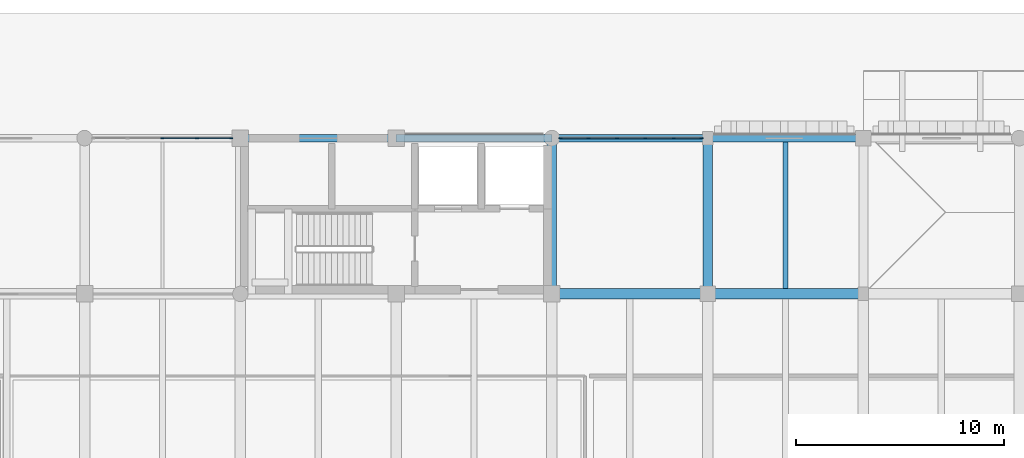
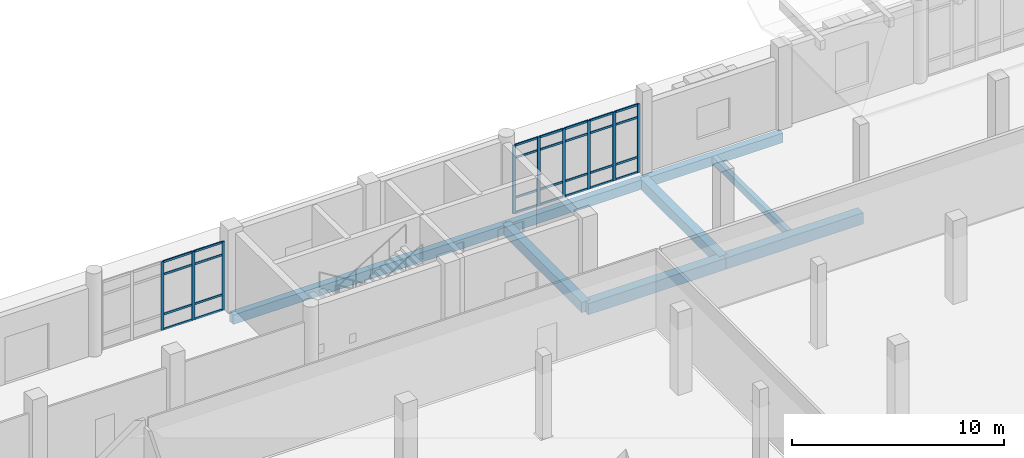
# One storey, part 53 of 125: 37 members, 9 beams, 2 elements without a shape of their own.
"""IFC4 building model written with IfcOpenShell, lengths in metres."""

from ifc_helpers import new_model, si_unit, direction, frame, origin, origin_2d, place, context, subcontext, project, spatial, rectangle, extrude, material, layer, layer_set, material_profile, profile_set, type_object, element, aggregate, save


model = new_model("IFC4")

# Units and contexts
model_context = context("Model", 3, precision=1e-05, world=origin(), true_north=direction((0.0, 1.0)))
body_context = subcontext(model_context, "Body", "Model", "MODEL_VIEW")
ifc_project = project(units=[si_unit("LENGTHUNIT", "METRE"), si_unit("AREAUNIT", "SQUARE_METRE"), si_unit("VOLUMEUNIT", "CUBIC_METRE"), si_unit("PLANEANGLEUNIT", "RADIAN"), si_unit("MASSUNIT", "GRAM", prefix="KILO")], contexts=[model_context])

# Site, building, storey
site_placement = place(None, origin())
site = spatial("IfcSite", under=ifc_project, at=site_placement, CompositionType="ELEMENT")
building_placement = place(site_placement, origin())
building = spatial("IfcBuilding", under=site, at=building_placement, Name="Dalvernix Boulevard General Hospital", CompositionType="ELEMENT")
storey_placement = place(building_placement, origin())
storey = spatial("IfcBuildingStorey", under=building, at=storey_placement, Name="L00", CompositionType="ELEMENT", Elevation=0.0)

# Beams
ifc_material_1 = material(Name="Concrete C35/45", Category="concrete")
ifc_material_profile_1 = material_profile(ifc_material_1, rectangle(XDim=0.5, YDim=0.64990234375, at=origin_2d()), Name="RCB 500x650")
ifc_profile_set_1 = profile_set([ifc_material_profile_1], Name="Concrete C35/45")
beam_type_1 = type_object("IfcBeamType", Name="BM-B-02-I", PredefinedType="BEAM", material=ifc_profile_set_1)
for number, where, z_axis, x_axis, name in (
    (1, (112.5, 109.5, -0.68505859375), (1.0, 0.0, 0.0), (0.0, 1.0, 0.0), "L00 E-W girder Q:16-17"),
    (2, (120.0, 109.5, -0.68505859375), (1.0, 0.0, 0.0), (0.0, 1.0, 0.0), "L00 E-W girder Q:17-18"),
):
    element("IfcBeam", number, at=place(storey_placement, frame(where, z_axis=z_axis, x_axis=x_axis)), inside=storey, type_object=beam_type_1, Name=name, PredefinedType="BEAM", context=body_context, shape_type="SweptSolid", body=[
        extrude(rectangle(XDim=0.5, YDim=0.64990234375, at=origin_2d()), origin(), (0.0, 0.0, 1.0), 7.5),
    ])
ifc_material_profile_2 = material_profile(ifc_material_1, rectangle(XDim=0.449951171875, YDim=0.60009765625, at=origin_2d()), Name="RCB 450x600")
ifc_profile_set_2 = profile_set([ifc_material_profile_2], Name="Concrete C35/45")
beam_type_2 = type_object("IfcBeamType", Name="BM-B-04-I", PredefinedType="BEAM", material=ifc_profile_set_2)
for number, where, z_axis, x_axis, name in (
    (3, (112.5, 109.5, -0.659912109375), (0.0, 1.0, 0.0), (-1.0, 0.0, 0.0), "L00 N-S girder 16:Q-R"),
    (4, (120.0, 109.5, -0.659912109375), (0.0, 1.0, 0.0), (-1.0, 0.0, 0.0), "L00 N-S girder 17:Q-R"),
):
    element("IfcBeam", number, at=place(storey_placement, frame(where, z_axis=z_axis, x_axis=x_axis)), inside=storey, type_object=beam_type_2, Name=name, PredefinedType="BEAM", context=body_context, shape_type="SweptSolid", body=[
        extrude(rectangle(XDim=0.449951171875, YDim=0.60009765625, at=origin_2d()), origin(), (0.0, 0.0, 1.0), 7.5),
    ])
ifc_material_profile_3 = material_profile(ifc_material_1, rectangle(XDim=0.25, YDim=0.39990234375, at=origin_2d()), Name="RCB 250x400")
ifc_profile_set_3 = profile_set([ifc_material_profile_3], Name="Concrete C35/45")
beam_type_3 = type_object("IfcBeamType", Name="BM-JB-02", PredefinedType="JOIST", material=ifc_profile_set_3)
beam_placement = place(storey_placement, frame((123.75, 109.75, -0.56005859375), z_axis=(0.0, 1.0, 0.0), x_axis=(-1.0, 0.0, 0.0)))
element("IfcBeam", 5, at=beam_placement, inside=storey, type_object=beam_type_3, Name="L00 secondary floor beam 17-Q", PredefinedType="JOIST", context=body_context, shape_type="SweptSolid", body=[
    extrude(rectangle(XDim=0.25, YDim=0.39990234375, at=origin_2d()), origin(), (0.0, 0.0, 1.0), 7.074951171875),
])
ifc_material_profile_4 = material_profile(ifc_material_1, rectangle(XDim=0.35009765625, YDim=0.550048828125, at=origin_2d()), Name="RCB 350x550")
ifc_profile_set_4 = profile_set([ifc_material_profile_4], Name="Concrete C35/45")
beam_type_4 = type_object("IfcBeamType", Name="BM-SB-01-E", PredefinedType="SPANDREL", material=ifc_profile_set_4)
for number, where, z_axis, x_axis, name in (
    (6, (97.5, 117.0, -0.635009765625), (1.0, 0.0, 0.0), (0.0, 1.0, 0.0), "L00 E-W girder R:14-15"),
    (7, (105.0, 117.0, -0.635009765625), (1.0, 0.0, 0.0), (0.0, 1.0, 0.0), "L00 E-W girder R:15-16"),
    (8, (112.5, 117.0, -0.635009765625), (1.0, 0.0, 0.0), (0.0, 1.0, 0.0), "L00 E-W girder R:16-17"),
    (9, (120.0, 117.0, -0.635009765625), (1.0, 0.0, 0.0), (0.0, 1.0, 0.0), "L00 E-W girder R:17-18"),
):
    element("IfcBeam", number, at=place(storey_placement, frame(where, z_axis=z_axis, x_axis=x_axis)), inside=storey, type_object=beam_type_4, Name=name, PredefinedType="SPANDREL", context=body_context, shape_type="SweptSolid", body=[
        extrude(rectangle(XDim=0.35009765625, YDim=0.550048828125, at=origin_2d()), origin(), (0.0, 0.0, 1.0), 7.5),
    ])

# Curtain wall, members
ifc_material_2 = material(Name="Thermally broken aluminium and solar-control glass curtain wall", Category="aluminium")
ifc_layer_1 = layer(ifc_material_2, 0.159912109375)
ifc_layer_set_1 = layer_set([ifc_layer_1], Name="Thermally broken aluminium and solar-control glass curtain wall (CW-CW-A-67x40)")
curtain_wall_type_1 = type_object("IfcCurtainWallType", Name="CW-CW-A-67x40", PredefinedType="USERDEFINED", material=ifc_layer_set_1)
curtain_wall_1_placement = place(storey_placement, origin())
curtain_wall_1 = element("IfcCurtainWall", 10, at=curtain_wall_1_placement, inside=storey, type_object=curtain_wall_type_1, Name="L00 curtain wall CW-A-67x40 12-15", ObjectType="GLAZED FACADE", PredefinedType="USERDEFINED")
ifc_material_3 = material(Name="Aluminium EN AW-6060", Category="aluminium")
ifc_material_profile_5 = material_profile(ifc_material_3, rectangle(XDim=0.06005859375, YDim=0.159912109375, at=origin_2d()), Name="ALU MULL 60x160")
ifc_profile_set_5 = profile_set([ifc_material_profile_5], Name="Aluminium EN AW-6060")
member_type_1 = type_object("IfcMemberType", Name="MEM-CW-M1", PredefinedType="MULLION", material=ifc_profile_set_5)
member_1_placement = place(storey_placement, frame((93.737548828125, 117.0, 0.0), z_axis=(0.0, 0.0, 1.0), x_axis=(0.0, 1.0, 0.0)))
member_1 = element("IfcMember", 11, at=member_1_placement, type_object=member_type_1, Name="CW-A-67x40 mullion 3", PredefinedType="MULLION", context=body_context, shape_type="SweptSolid", body=[
    extrude(rectangle(XDim=0.06005859375, YDim=0.159912109375, at=origin_2d()), origin(), (0.0, 0.0, 1.0), 3.949951171875),
])
member_2_placement = place(storey_placement, frame((95.413818359375, 117.0, 0.0), z_axis=(0.0, 0.0, 1.0), x_axis=(0.0, 1.0, 0.0)))
member_2 = element("IfcMember", 12, at=member_2_placement, type_object=member_type_1, Name="CW-A-67x40 mullion 4", PredefinedType="MULLION", context=body_context, shape_type="SweptSolid", body=[
    extrude(rectangle(XDim=0.06005859375, YDim=0.159912109375, at=origin_2d()), origin(), (0.0, 0.0, 1.0), 3.949951171875),
])
member_3_placement = place(storey_placement, frame((97.06005859375, 117.0, 0.0), z_axis=(0.0, 0.0, 1.0), x_axis=(0.0, 1.0, 0.0)))
member_3 = element("IfcMember", 13, at=member_3_placement, type_object=member_type_1, Name="CW-A-67x40 mullion 5", PredefinedType="MULLION", context=body_context, shape_type="SweptSolid", body=[
    extrude(rectangle(XDim=0.06005859375, YDim=0.159912109375, at=origin_2d()), origin(), (0.0, 0.0, 1.0), 3.949951171875),
])

ifc_layer_2 = layer(ifc_material_2, 0.159912109375)
ifc_layer_set_2 = layer_set([ifc_layer_2], Name="Thermally broken aluminium and solar-control glass curtain wall (CW-CW-A-69x40)")
curtain_wall_type_2 = type_object("IfcCurtainWallType", Name="CW-CW-A-69x40", PredefinedType="USERDEFINED", material=ifc_layer_set_2)
curtain_wall_2_placement = place(storey_placement, origin())
curtain_wall_2 = element("IfcCurtainWall", 14, at=curtain_wall_2_placement, inside=storey, type_object=curtain_wall_type_2, Name="L00 curtain wall CW-A-69x40 15-15", ObjectType="GLAZED FACADE", PredefinedType="USERDEFINED")
member_4_placement = place(storey_placement, frame((112.9150390625, 117.0, 0.0), z_axis=(0.0, 0.0, 1.0), x_axis=(0.0, 1.0, 0.0)))
member_4 = element("IfcMember", 15, at=member_4_placement, type_object=member_type_1, Name="CW-A-69x40 mullion 1", PredefinedType="MULLION", context=body_context, shape_type="SweptSolid", body=[
    extrude(rectangle(XDim=0.06005859375, YDim=0.159912109375, at=origin_2d()), origin(), (0.0, 0.0, 1.0), 3.949951171875),
])
member_5_placement = place(storey_placement, frame((114.256103515625, 117.0, 0.0), z_axis=(0.0, 0.0, 1.0), x_axis=(0.0, 1.0, 0.0)))
member_5 = element("IfcMember", 16, at=member_5_placement, type_object=member_type_1, Name="CW-A-69x40 mullion 2", PredefinedType="MULLION", context=body_context, shape_type="SweptSolid", body=[
    extrude(rectangle(XDim=0.06005859375, YDim=0.159912109375, at=origin_2d()), origin(), (0.0, 0.0, 1.0), 3.949951171875),
])
member_6_placement = place(storey_placement, frame((115.626953125, 117.0, 0.0), z_axis=(0.0, 0.0, 1.0), x_axis=(0.0, 1.0, 0.0)))
member_6 = element("IfcMember", 17, at=member_6_placement, type_object=member_type_1, Name="CW-A-69x40 mullion 3", PredefinedType="MULLION", context=body_context, shape_type="SweptSolid", body=[
    extrude(rectangle(XDim=0.06005859375, YDim=0.159912109375, at=origin_2d()), origin(), (0.0, 0.0, 1.0), 3.949951171875),
])
member_7_placement = place(storey_placement, frame((116.998046875, 117.0, 0.0), z_axis=(0.0, 0.0, 1.0), x_axis=(0.0, 1.0, 0.0)))
member_7 = element("IfcMember", 18, at=member_7_placement, type_object=member_type_1, Name="CW-A-69x40 mullion 4", PredefinedType="MULLION", context=body_context, shape_type="SweptSolid", body=[
    extrude(rectangle(XDim=0.06005859375, YDim=0.159912109375, at=origin_2d()), origin(), (0.0, 0.0, 1.0), 3.949951171875),
])
member_8_placement = place(storey_placement, frame((118.368896484375, 117.0, 0.0), z_axis=(0.0, 0.0, 1.0), x_axis=(0.0, 1.0, 0.0)))
member_8 = element("IfcMember", 19, at=member_8_placement, type_object=member_type_1, Name="CW-A-69x40 mullion 5", PredefinedType="MULLION", context=body_context, shape_type="SweptSolid", body=[
    extrude(rectangle(XDim=0.06005859375, YDim=0.159912109375, at=origin_2d()), origin(), (0.0, 0.0, 1.0), 3.949951171875),
])
member_9_placement = place(storey_placement, frame((119.7099609375, 117.0, 0.0), z_axis=(0.0, 0.0, 1.0), x_axis=(0.0, 1.0, 0.0)))
member_9 = element("IfcMember", 20, at=member_9_placement, type_object=member_type_1, Name="CW-A-69x40 mullion 6", PredefinedType="MULLION", context=body_context, shape_type="SweptSolid", body=[
    extrude(rectangle(XDim=0.06005859375, YDim=0.159912109375, at=origin_2d()), origin(), (0.0, 0.0, 1.0), 3.949951171875),
])

# Member
ifc_material_profile_6 = material_profile(ifc_material_3, rectangle(XDim=0.06005859375, YDim=0.1201171875, at=origin_2d()), Name="ALU TRAN 60x120")
ifc_profile_set_6 = profile_set([ifc_material_profile_6], Name="Aluminium EN AW-6060")
member_type_2 = type_object("IfcMemberType", Name="MEM-CW-T1", PredefinedType="USERDEFINED", material=ifc_profile_set_6)
member_10_placement = place(storey_placement, frame((93.767578125, 117.0, 0.030029296875), z_axis=(1.0, 0.0, 0.0), x_axis=(0.0, 1.0, 0.0)))
member_10 = element("IfcMember", 21, at=member_10_placement, type_object=member_type_2, Name="CW-A-67x40 transom 3.1", ObjectType="TRANSOM", PredefinedType="USERDEFINED", context=body_context, shape_type="SweptSolid", body=[
    extrude(rectangle(XDim=0.06005859375, YDim=0.1201171875, at=origin_2d()), origin(), (0.0, 0.0, 1.0), 1.6162109375),
])

member_11_placement = place(storey_placement, frame((93.767578125, 117.0, 0.89990234375), z_axis=(1.0, 0.0, 0.0), x_axis=(0.0, 1.0, 0.0)))
member_11 = element("IfcMember", 22, at=member_11_placement, type_object=member_type_2, Name="CW-A-67x40 transom 3.2", ObjectType="TRANSOM", PredefinedType="USERDEFINED", context=body_context, shape_type="SweptSolid", body=[
    extrude(rectangle(XDim=0.06005859375, YDim=0.1201171875, at=origin_2d()), origin(), (0.0, 0.0, 1.0), 1.6162109375),
])

member_12_placement = place(storey_placement, frame((93.767578125, 117.0, 3.199951171875), z_axis=(1.0, 0.0, 0.0), x_axis=(0.0, 1.0, 0.0)))
member_12 = element("IfcMember", 23, at=member_12_placement, type_object=member_type_2, Name="CW-A-67x40 transom 3.3", ObjectType="TRANSOM", PredefinedType="USERDEFINED", context=body_context, shape_type="SweptSolid", body=[
    extrude(rectangle(XDim=0.06005859375, YDim=0.1201171875, at=origin_2d()), origin(), (0.0, 0.0, 1.0), 1.6162109375),
])

member_13_placement = place(storey_placement, frame((93.767578125, 117.0, 3.919921875), z_axis=(1.0, 0.0, 0.0), x_axis=(0.0, 1.0, 0.0)))
member_13 = element("IfcMember", 24, at=member_13_placement, type_object=member_type_2, Name="CW-A-67x40 transom 3.4", ObjectType="TRANSOM", PredefinedType="USERDEFINED", context=body_context, shape_type="SweptSolid", body=[
    extrude(rectangle(XDim=0.06005859375, YDim=0.1201171875, at=origin_2d()), origin(), (0.0, 0.0, 1.0), 1.6162109375),
])

member_14_placement = place(storey_placement, frame((95.44384765625, 117.0, 0.030029296875), z_axis=(1.0, 0.0, 0.0), x_axis=(0.0, 1.0, 0.0)))
member_14 = element("IfcMember", 25, at=member_14_placement, type_object=member_type_2, Name="CW-A-67x40 transom 4.1", ObjectType="TRANSOM", PredefinedType="USERDEFINED", context=body_context, shape_type="SweptSolid", body=[
    extrude(rectangle(XDim=0.06005859375, YDim=0.1201171875, at=origin_2d()), origin(), (0.0, 0.0, 1.0), 1.586181640625),
])

member_15_placement = place(storey_placement, frame((95.44384765625, 117.0, 0.89990234375), z_axis=(1.0, 0.0, 0.0), x_axis=(0.0, 1.0, 0.0)))
member_15 = element("IfcMember", 26, at=member_15_placement, type_object=member_type_2, Name="CW-A-67x40 transom 4.2", ObjectType="TRANSOM", PredefinedType="USERDEFINED", context=body_context, shape_type="SweptSolid", body=[
    extrude(rectangle(XDim=0.06005859375, YDim=0.1201171875, at=origin_2d()), origin(), (0.0, 0.0, 1.0), 1.586181640625),
])

member_16_placement = place(storey_placement, frame((95.44384765625, 117.0, 3.199951171875), z_axis=(1.0, 0.0, 0.0), x_axis=(0.0, 1.0, 0.0)))
member_16 = element("IfcMember", 27, at=member_16_placement, type_object=member_type_2, Name="CW-A-67x40 transom 4.3", ObjectType="TRANSOM", PredefinedType="USERDEFINED", context=body_context, shape_type="SweptSolid", body=[
    extrude(rectangle(XDim=0.06005859375, YDim=0.1201171875, at=origin_2d()), origin(), (0.0, 0.0, 1.0), 1.586181640625),
])

member_17_placement = place(storey_placement, frame((95.44384765625, 117.0, 3.919921875), z_axis=(1.0, 0.0, 0.0), x_axis=(0.0, 1.0, 0.0)))
member_17 = element("IfcMember", 28, at=member_17_placement, type_object=member_type_2, Name="CW-A-67x40 transom 4.4", ObjectType="TRANSOM", PredefinedType="USERDEFINED", context=body_context, shape_type="SweptSolid", body=[
    extrude(rectangle(XDim=0.06005859375, YDim=0.1201171875, at=origin_2d()), origin(), (0.0, 0.0, 1.0), 1.586181640625),
])

aggregate(curtain_wall_1, [member_1, member_2, member_3, member_10, member_11, member_12, member_13, member_14, member_15, member_16, member_17])

member_18_placement = place(storey_placement, frame((112.945068359375, 117.0, 0.030029296875), z_axis=(1.0, 0.0, 0.0), x_axis=(0.0, 1.0, 0.0)))
member_18 = element("IfcMember", 29, at=member_18_placement, type_object=member_type_2, Name="CW-A-69x40 transom 1.1", ObjectType="TRANSOM", PredefinedType="USERDEFINED", context=body_context, shape_type="SweptSolid", body=[
    extrude(rectangle(XDim=0.06005859375, YDim=0.1201171875, at=origin_2d()), origin(), (0.0, 0.0, 1.0), 1.281005859375),
])

member_19_placement = place(storey_placement, frame((112.945068359375, 117.0, 0.89990234375), z_axis=(1.0, 0.0, 0.0), x_axis=(0.0, 1.0, 0.0)))
member_19 = element("IfcMember", 30, at=member_19_placement, type_object=member_type_2, Name="CW-A-69x40 transom 1.2", ObjectType="TRANSOM", PredefinedType="USERDEFINED", context=body_context, shape_type="SweptSolid", body=[
    extrude(rectangle(XDim=0.06005859375, YDim=0.1201171875, at=origin_2d()), origin(), (0.0, 0.0, 1.0), 1.281005859375),
])

member_20_placement = place(storey_placement, frame((112.945068359375, 117.0, 3.199951171875), z_axis=(1.0, 0.0, 0.0), x_axis=(0.0, 1.0, 0.0)))
member_20 = element("IfcMember", 31, at=member_20_placement, type_object=member_type_2, Name="CW-A-69x40 transom 1.3", ObjectType="TRANSOM", PredefinedType="USERDEFINED", context=body_context, shape_type="SweptSolid", body=[
    extrude(rectangle(XDim=0.06005859375, YDim=0.1201171875, at=origin_2d()), origin(), (0.0, 0.0, 1.0), 1.281005859375),
])

member_21_placement = place(storey_placement, frame((112.945068359375, 117.0, 3.919921875), z_axis=(1.0, 0.0, 0.0), x_axis=(0.0, 1.0, 0.0)))
member_21 = element("IfcMember", 32, at=member_21_placement, type_object=member_type_2, Name="CW-A-69x40 transom 1.4", ObjectType="TRANSOM", PredefinedType="USERDEFINED", context=body_context, shape_type="SweptSolid", body=[
    extrude(rectangle(XDim=0.06005859375, YDim=0.1201171875, at=origin_2d()), origin(), (0.0, 0.0, 1.0), 1.281005859375),
])

member_22_placement = place(storey_placement, frame((114.285888671875, 117.0, 0.030029296875), z_axis=(1.0, 0.0, 0.0), x_axis=(0.0, 1.0, 0.0)))
member_22 = element("IfcMember", 33, at=member_22_placement, type_object=member_type_2, Name="CW-A-69x40 transom 2.1", ObjectType="TRANSOM", PredefinedType="USERDEFINED", context=body_context, shape_type="SweptSolid", body=[
    extrude(rectangle(XDim=0.06005859375, YDim=0.1201171875, at=origin_2d()), origin(), (0.0, 0.0, 1.0), 1.31103515625),
])

member_23_placement = place(storey_placement, frame((114.285888671875, 117.0, 0.89990234375), z_axis=(1.0, 0.0, 0.0), x_axis=(0.0, 1.0, 0.0)))
member_23 = element("IfcMember", 34, at=member_23_placement, type_object=member_type_2, Name="CW-A-69x40 transom 2.2", ObjectType="TRANSOM", PredefinedType="USERDEFINED", context=body_context, shape_type="SweptSolid", body=[
    extrude(rectangle(XDim=0.06005859375, YDim=0.1201171875, at=origin_2d()), origin(), (0.0, 0.0, 1.0), 1.31103515625),
])

member_24_placement = place(storey_placement, frame((114.285888671875, 117.0, 3.199951171875), z_axis=(1.0, 0.0, 0.0), x_axis=(0.0, 1.0, 0.0)))
member_24 = element("IfcMember", 35, at=member_24_placement, type_object=member_type_2, Name="CW-A-69x40 transom 2.3", ObjectType="TRANSOM", PredefinedType="USERDEFINED", context=body_context, shape_type="SweptSolid", body=[
    extrude(rectangle(XDim=0.06005859375, YDim=0.1201171875, at=origin_2d()), origin(), (0.0, 0.0, 1.0), 1.31103515625),
])

member_25_placement = place(storey_placement, frame((114.285888671875, 117.0, 3.919921875), z_axis=(1.0, 0.0, 0.0), x_axis=(0.0, 1.0, 0.0)))
member_25 = element("IfcMember", 36, at=member_25_placement, type_object=member_type_2, Name="CW-A-69x40 transom 2.4", ObjectType="TRANSOM", PredefinedType="USERDEFINED", context=body_context, shape_type="SweptSolid", body=[
    extrude(rectangle(XDim=0.06005859375, YDim=0.1201171875, at=origin_2d()), origin(), (0.0, 0.0, 1.0), 1.31103515625),
])

member_26_placement = place(storey_placement, frame((115.656982421875, 117.0, 0.030029296875), z_axis=(1.0, 0.0, 0.0), x_axis=(0.0, 1.0, 0.0)))
member_26 = element("IfcMember", 37, at=member_26_placement, type_object=member_type_2, Name="CW-A-69x40 transom 3.1", ObjectType="TRANSOM", PredefinedType="USERDEFINED", context=body_context, shape_type="SweptSolid", body=[
    extrude(rectangle(XDim=0.06005859375, YDim=0.1201171875, at=origin_2d()), origin(), (0.0, 0.0, 1.0), 1.31103515625),
])

member_27_placement = place(storey_placement, frame((115.656982421875, 117.0, 0.89990234375), z_axis=(1.0, 0.0, 0.0), x_axis=(0.0, 1.0, 0.0)))
member_27 = element("IfcMember", 38, at=member_27_placement, type_object=member_type_2, Name="CW-A-69x40 transom 3.2", ObjectType="TRANSOM", PredefinedType="USERDEFINED", context=body_context, shape_type="SweptSolid", body=[
    extrude(rectangle(XDim=0.06005859375, YDim=0.1201171875, at=origin_2d()), origin(), (0.0, 0.0, 1.0), 1.31103515625),
])

member_28_placement = place(storey_placement, frame((115.656982421875, 117.0, 3.199951171875), z_axis=(1.0, 0.0, 0.0), x_axis=(0.0, 1.0, 0.0)))
member_28 = element("IfcMember", 39, at=member_28_placement, type_object=member_type_2, Name="CW-A-69x40 transom 3.3", ObjectType="TRANSOM", PredefinedType="USERDEFINED", context=body_context, shape_type="SweptSolid", body=[
    extrude(rectangle(XDim=0.06005859375, YDim=0.1201171875, at=origin_2d()), origin(), (0.0, 0.0, 1.0), 1.31103515625),
])

member_29_placement = place(storey_placement, frame((115.656982421875, 117.0, 3.919921875), z_axis=(1.0, 0.0, 0.0), x_axis=(0.0, 1.0, 0.0)))
member_29 = element("IfcMember", 40, at=member_29_placement, type_object=member_type_2, Name="CW-A-69x40 transom 3.4", ObjectType="TRANSOM", PredefinedType="USERDEFINED", context=body_context, shape_type="SweptSolid", body=[
    extrude(rectangle(XDim=0.06005859375, YDim=0.1201171875, at=origin_2d()), origin(), (0.0, 0.0, 1.0), 1.31103515625),
])

member_30_placement = place(storey_placement, frame((117.028076171875, 117.0, 0.030029296875), z_axis=(1.0, 0.0, 0.0), x_axis=(0.0, 1.0, 0.0)))
member_30 = element("IfcMember", 41, at=member_30_placement, type_object=member_type_2, Name="CW-A-69x40 transom 4.1", ObjectType="TRANSOM", PredefinedType="USERDEFINED", context=body_context, shape_type="SweptSolid", body=[
    extrude(rectangle(XDim=0.06005859375, YDim=0.1201171875, at=origin_2d()), origin(), (0.0, 0.0, 1.0), 1.31103515625),
])

member_31_placement = place(storey_placement, frame((117.028076171875, 117.0, 0.89990234375), z_axis=(1.0, 0.0, 0.0), x_axis=(0.0, 1.0, 0.0)))
member_31 = element("IfcMember", 42, at=member_31_placement, type_object=member_type_2, Name="CW-A-69x40 transom 4.2", ObjectType="TRANSOM", PredefinedType="USERDEFINED", context=body_context, shape_type="SweptSolid", body=[
    extrude(rectangle(XDim=0.06005859375, YDim=0.1201171875, at=origin_2d()), origin(), (0.0, 0.0, 1.0), 1.31103515625),
])

member_32_placement = place(storey_placement, frame((117.028076171875, 117.0, 3.199951171875), z_axis=(1.0, 0.0, 0.0), x_axis=(0.0, 1.0, 0.0)))
member_32 = element("IfcMember", 43, at=member_32_placement, type_object=member_type_2, Name="CW-A-69x40 transom 4.3", ObjectType="TRANSOM", PredefinedType="USERDEFINED", context=body_context, shape_type="SweptSolid", body=[
    extrude(rectangle(XDim=0.06005859375, YDim=0.1201171875, at=origin_2d()), origin(), (0.0, 0.0, 1.0), 1.31103515625),
])

member_33_placement = place(storey_placement, frame((117.028076171875, 117.0, 3.919921875), z_axis=(1.0, 0.0, 0.0), x_axis=(0.0, 1.0, 0.0)))
member_33 = element("IfcMember", 44, at=member_33_placement, type_object=member_type_2, Name="CW-A-69x40 transom 4.4", ObjectType="TRANSOM", PredefinedType="USERDEFINED", context=body_context, shape_type="SweptSolid", body=[
    extrude(rectangle(XDim=0.06005859375, YDim=0.1201171875, at=origin_2d()), origin(), (0.0, 0.0, 1.0), 1.31103515625),
])

member_34_placement = place(storey_placement, frame((118.39892578125, 117.0, 0.030029296875), z_axis=(1.0, 0.0, 0.0), x_axis=(0.0, 1.0, 0.0)))
member_34 = element("IfcMember", 45, at=member_34_placement, type_object=member_type_2, Name="CW-A-69x40 transom 5.1", ObjectType="TRANSOM", PredefinedType="USERDEFINED", context=body_context, shape_type="SweptSolid", body=[
    extrude(rectangle(XDim=0.06005859375, YDim=0.1201171875, at=origin_2d()), origin(), (0.0, 0.0, 1.0), 1.281005859375),
])

member_35_placement = place(storey_placement, frame((118.39892578125, 117.0, 0.89990234375), z_axis=(1.0, 0.0, 0.0), x_axis=(0.0, 1.0, 0.0)))
member_35 = element("IfcMember", 46, at=member_35_placement, type_object=member_type_2, Name="CW-A-69x40 transom 5.2", ObjectType="TRANSOM", PredefinedType="USERDEFINED", context=body_context, shape_type="SweptSolid", body=[
    extrude(rectangle(XDim=0.06005859375, YDim=0.1201171875, at=origin_2d()), origin(), (0.0, 0.0, 1.0), 1.281005859375),
])

member_36_placement = place(storey_placement, frame((118.39892578125, 117.0, 3.199951171875), z_axis=(1.0, 0.0, 0.0), x_axis=(0.0, 1.0, 0.0)))
member_36 = element("IfcMember", 47, at=member_36_placement, type_object=member_type_2, Name="CW-A-69x40 transom 5.3", ObjectType="TRANSOM", PredefinedType="USERDEFINED", context=body_context, shape_type="SweptSolid", body=[
    extrude(rectangle(XDim=0.06005859375, YDim=0.1201171875, at=origin_2d()), origin(), (0.0, 0.0, 1.0), 1.281005859375),
])

member_37_placement = place(storey_placement, frame((118.39892578125, 117.0, 3.919921875), z_axis=(1.0, 0.0, 0.0), x_axis=(0.0, 1.0, 0.0)))
member_37 = element("IfcMember", 48, at=member_37_placement, type_object=member_type_2, Name="CW-A-69x40 transom 5.4", ObjectType="TRANSOM", PredefinedType="USERDEFINED", context=body_context, shape_type="SweptSolid", body=[
    extrude(rectangle(XDim=0.06005859375, YDim=0.1201171875, at=origin_2d()), origin(), (0.0, 0.0, 1.0), 1.281005859375),
])

aggregate(curtain_wall_2, [member_4, member_5, member_6, member_7, member_8, member_9, member_18, member_19, member_20, member_21, member_22, member_23, member_24, member_25, member_26, member_27, member_28, member_29, member_30, member_31, member_32, member_33, member_34, member_35, member_36, member_37])

save(model, "model.ifc")
